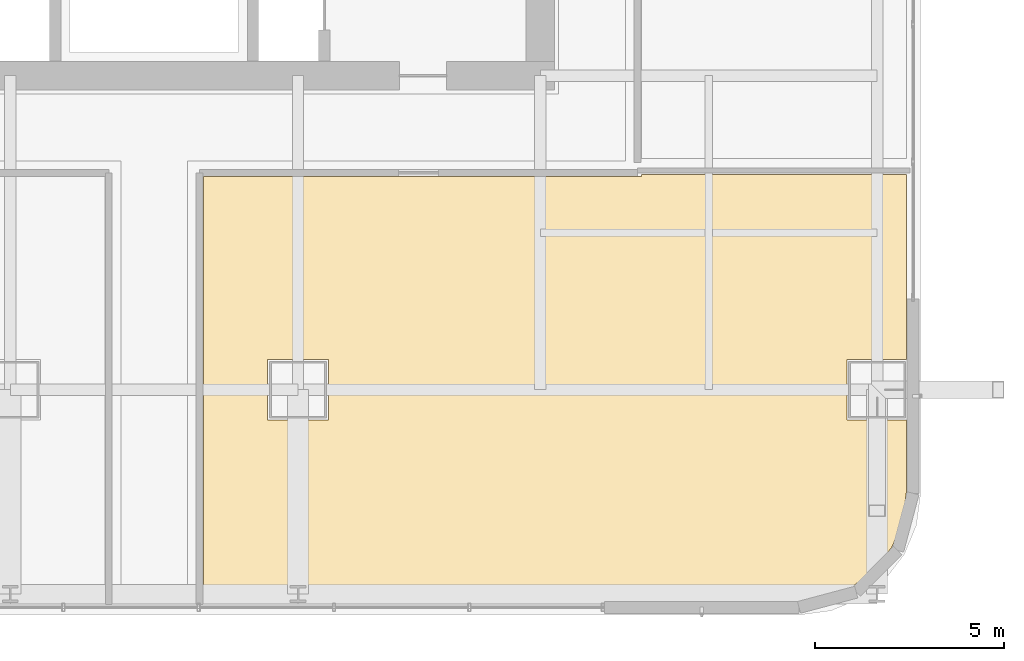
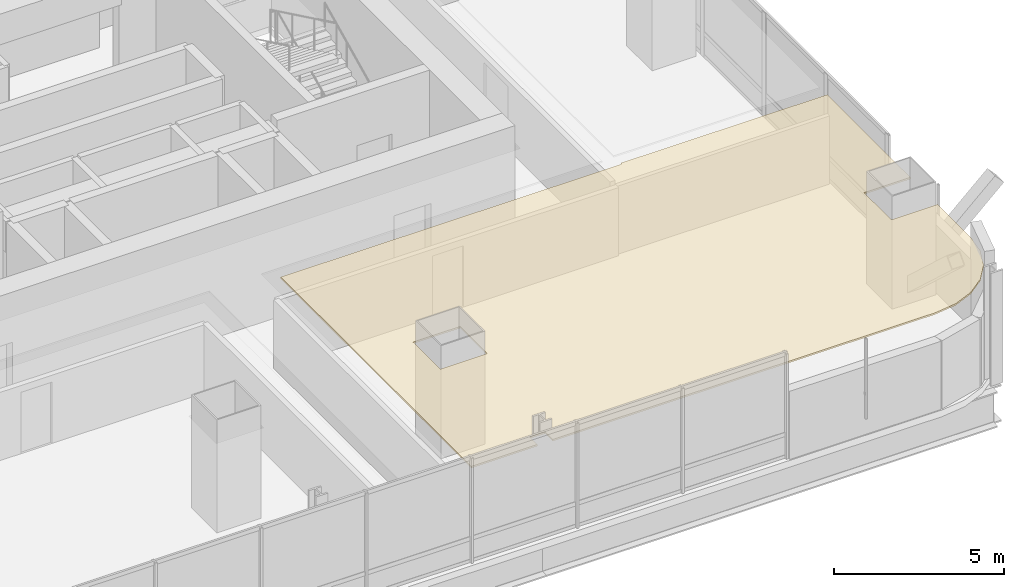
# One storey, part 40 of 45: 1 covering.
"""IFC4 building model written with IfcOpenShell, lengths in metres."""

from ifc_helpers import new_model, si_unit, direction, frame, origin, place, context, subcontext, project, spatial, polyline, outline, extrude, material, layer, layer_set, type_object, element, save


model = new_model("IFC4")

# Units and contexts
model_context = context("Model", 3, precision=1e-05, world=origin(), true_north=direction((0.0, 1.0)))
body_context = subcontext(model_context, "Body", "Model", "MODEL_VIEW")
ifc_project = project(units=[si_unit("LENGTHUNIT", "METRE"), si_unit("AREAUNIT", "SQUARE_METRE"), si_unit("VOLUMEUNIT", "CUBIC_METRE"), si_unit("PLANEANGLEUNIT", "RADIAN"), si_unit("MASSUNIT", "GRAM", prefix="KILO")], contexts=[model_context])

# Site, building, storey
site_placement = place(None, origin())
site = spatial("IfcSite", under=ifc_project, at=site_placement, CompositionType="ELEMENT")
building_placement = place(site_placement, origin())
building = spatial("IfcBuilding", under=site, at=building_placement, Name="Punatoya Terracotta Tower", CompositionType="ELEMENT")
storey_placement = place(building_placement, frame((0.0, 0.0, 56.550048828125)))
storey = spatial("IfcBuildingStorey", under=building, at=storey_placement, Name="L12", CompositionType="ELEMENT", Elevation=56.550048828125)

# Covering
ifc_material = material(Name="Acoustic Mineral Fibre Ceiling")
ifc_layer = layer(ifc_material, 0.06005859375)
ifc_layer_set = layer_set([ifc_layer], Name="Acoustic Mineral Fibre Ceiling")
covering_type = type_object("IfcCoveringType", Name="COV-CEIL-60", PredefinedType="CEILING", material=ifc_layer_set)
covering_placement = place(storey_placement, frame((0.0, 0.0, 3.199951171875)))
element("IfcCovering", 1, at=covering_placement, inside=storey, type_object=covering_type, Name="L12 Occupational Rest Lounge Acoustic Ceiling", PredefinedType="CEILING", context=body_context, shape_type="SweptSolid", body=[
    extrude(outline(polyline([(1.300048828125, -11.8701171875), (1.300048828125, -23.070068359375), (3.5419921875, -23.070068359375), (3.5419921875, -22.626953125), (4.05810546875, -22.626953125), (4.05810546875, -23.070068359375), (17.025146484375, -23.070068359375), (17.779052734375, -22.970703125), (18.458251953125, -22.689453125), (19.041748046875, -22.24169921875), (19.489501953125, -21.658203125), (19.770751953125, -20.97900390625), (19.8701171875, -20.22509765625), (19.8701171875, -18.300048828125), (18.300048828125, -18.300048828125), (18.300048828125, -16.699951171875), (19.8701171875, -16.699951171875), (19.8701171875, -11.81005859375), (12.8701171875, -11.81005859375), (12.8701171875, -11.8701171875), (1.300048828125, -11.8701171875)]), holes=[polyline([(4.60009765625, -16.699951171875), (4.60009765625, -18.300048828125), (3.0, -18.300048828125), (3.0, -16.699951171875), (4.60009765625, -16.699951171875)])]), origin(), (0.0, 0.0, 1.0), 0.06005859375),
])

save(model, "model.ifc")
